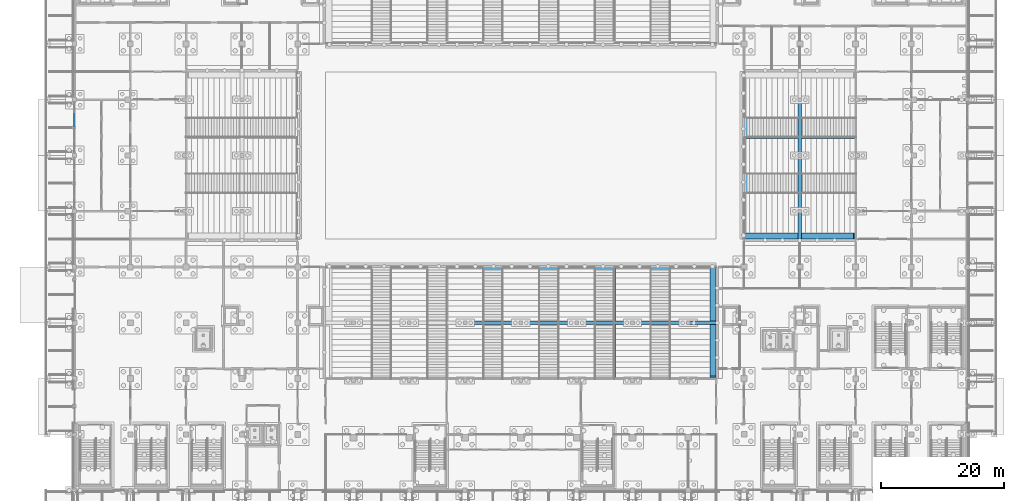
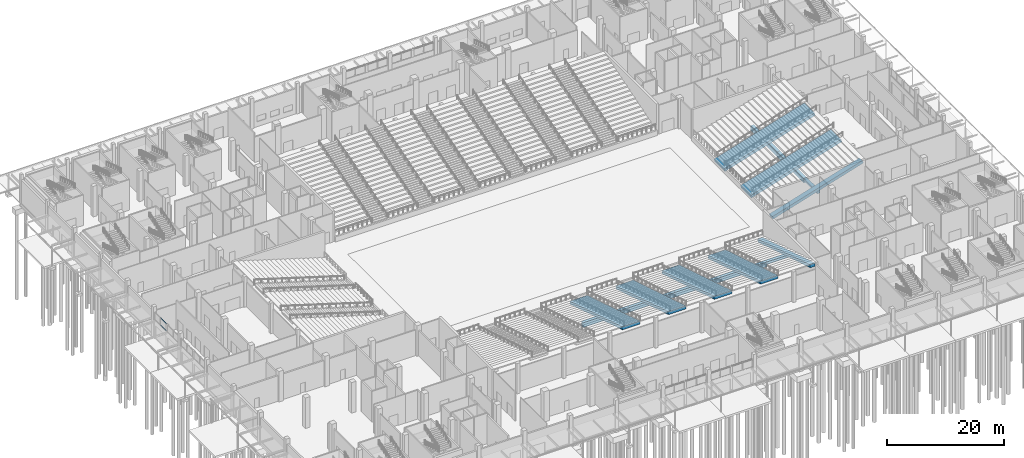
# One storey, part 53 of 129: 16 beams, 2 members, 1 element without a shape of its own.
"""IFC4 building model written with IfcOpenShell, lengths in metres."""

from ifc_helpers import new_model, si_unit, direction, frame, origin, origin_2d, place, context, subcontext, project, spatial, rectangle, hollow_rectangle, extrude, material, layer, layer_set, material_profile, profile_set, type_object, element, aggregate, save


model = new_model("IFC4")

# Units and contexts
model_context = context("Model", 3, precision=1e-05, world=origin(), true_north=direction((0.0, 1.0)))
body_context = subcontext(model_context, "Body", "Model", "MODEL_VIEW")
ifc_project = project(units=[si_unit("LENGTHUNIT", "METRE"), si_unit("AREAUNIT", "SQUARE_METRE"), si_unit("VOLUMEUNIT", "CUBIC_METRE"), si_unit("PLANEANGLEUNIT", "RADIAN"), si_unit("MASSUNIT", "GRAM", prefix="KILO")], contexts=[model_context])

# Site, building, storey
site_placement = place(None, origin())
site = spatial("IfcSite", under=ifc_project, at=site_placement, CompositionType="ELEMENT")
building_placement = place(site_placement, origin())
building = spatial("IfcBuilding", under=site, at=building_placement, Name="Shirokan Park Arena", CompositionType="ELEMENT")
storey_placement = place(building_placement, origin())
storey = spatial("IfcBuildingStorey", under=building, at=storey_placement, Name="L00", CompositionType="ELEMENT", Elevation=0.0)

# Beams
ifc_material_1 = material(Name="Concrete C35", Category="concrete")
ifc_material_profile_1 = material_profile(ifc_material_1, rectangle(XDim=1.0, YDim=0.60009765625, at=origin_2d()), Name="1000x600")
ifc_profile_set_1 = profile_set([ifc_material_profile_1], Name="Concrete C35")
beam_type_1 = type_object("IfcBeamType", Name="RC end raker 1000x600", PredefinedType="USERDEFINED", material=ifc_profile_set_1)
beam_1_placement = place(storey_placement, frame((104.14990234375, 36.39990234375, 0.246826171875), z_axis=(0.0, -0.95577675381, 0.2940931772), x_axis=(1.0, 0.0, 0.0)))
element("IfcBeam", 1, at=beam_1_placement, inside=storey, type_object=beam_type_1, Name="End raker lower S 2", ObjectType="END RAKER BEAM", PredefinedType="USERDEFINED", context=body_context, shape_type="SweptSolid", body=[
    extrude(rectangle(XDim=1.0, YDim=0.60009765625, at=origin_2d()), origin(), (0.0, 0.0, 1.0), 18.72802734375),
])
beam_2_placement = place(storey_placement, frame((109.199951171875, 41.449951171875, 0.246826171875), z_axis=(0.955777881287, 0.0, 0.294089512975), x_axis=(0.0, 1.0, 0.0)))
element("IfcBeam", 2, at=beam_2_placement, inside=storey, type_object=beam_type_1, Name="End raker lower E 1", ObjectType="END RAKER BEAM", PredefinedType="USERDEFINED", context=body_context, shape_type="SweptSolid", body=[
    extrude(rectangle(XDim=1.0, YDim=0.60009765625, at=origin_2d()), origin(), (0.0, 0.0, 1.0), 18.728271484375),
])
ifc_material_profile_2 = material_profile(ifc_material_1, rectangle(XDim=3.5, YDim=0.60009765625, at=origin_2d()), Name="3500x600")
ifc_profile_set_2 = profile_set([ifc_material_profile_2], Name="Concrete C35")
beam_type_2 = type_object("IfcBeamType", Name="RC raker 3500x600", PredefinedType="USERDEFINED", material=ifc_profile_set_2)
for number, where, z_axis, x_axis, name in (
    (3, (68.25, 36.39990234375, 0.246826171875), (0.0, -0.95577675381, 0.2940931772), (1.0, 0.0, 0.0), "Raker lower S 3"),
    (4, (77.35009765625, 36.39990234375, 0.246826171875), (0.0, -0.95577675381, 0.2940931772), (1.0, 0.0, 0.0), "Raker lower S 4"),
    (5, (86.449951171875, 36.39990234375, 0.246826171875), (0.0, -0.95577675381, 0.2940931772), (1.0, 0.0, 0.0), "Raker lower S 5"),
    (6, (95.550048828125, 36.39990234375, 0.246826171875), (0.0, -0.95577675381, 0.2940931772), (1.0, 0.0, 0.0), "Raker lower S 6"),
):
    element("IfcBeam", number, at=place(storey_placement, frame(where, z_axis=z_axis, x_axis=x_axis)), inside=storey, type_object=beam_type_2, Name=name, ObjectType="RAKER BEAM", PredefinedType="USERDEFINED", context=body_context, shape_type="SweptSolid", body=[
        extrude(rectangle(XDim=3.5, YDim=0.60009765625, at=origin_2d()), origin(), (0.0, 0.0, 1.0), 18.72802734375),
    ])
for number, where, z_axis, x_axis, name in (
    (7, (109.199951171875, 50.050048828125, 0.246826171875), (0.955777881287, 0.0, 0.294089512975), (0.0, 1.0, 0.0), "Raker lower E 1"),
    (8, (109.199951171875, 59.14990234375, 0.246826171875), (0.955777881287, 0.0, 0.294089512975), (0.0, 1.0, 0.0), "Raker lower E 2"),
):
    element("IfcBeam", number, at=place(storey_placement, frame(where, z_axis=z_axis, x_axis=x_axis)), inside=storey, type_object=beam_type_2, Name=name, ObjectType="RAKER BEAM", PredefinedType="USERDEFINED", context=body_context, shape_type="SweptSolid", body=[
        extrude(rectangle(XDim=3.5, YDim=0.60009765625, at=origin_2d()), origin(), (0.0, 0.0, 1.0), 18.728271484375),
    ])
ifc_material_profile_3 = material_profile(ifc_material_1, rectangle(XDim=0.60009765625, YDim=1.0, at=origin_2d()), Name="600x1000")
ifc_profile_set_3 = profile_set([ifc_material_profile_3], Name="Concrete C35")
beam_type_3 = type_object("IfcBeamType", Name="RC stand girder 600x1000", PredefinedType="BEAM", material=ifc_profile_set_3)
beam_3_placement = place(storey_placement, frame((63.699951171875, 27.300048828125, 2.23291015625), z_axis=(1.0, 0.0, 0.0), x_axis=(0.0, 1.0, 0.0)))
element("IfcBeam", 9, at=beam_3_placement, inside=storey, type_object=beam_type_3, Name="Stand girder S R2 4", PredefinedType="BEAM", context=body_context, shape_type="SweptSolid", body=[
    extrude(rectangle(XDim=0.60009765625, YDim=1.0, at=origin_2d()), origin(), (0.0, 0.0, 1.0), 9.10009765625),
])
beam_4_placement = place(storey_placement, frame((72.800048828125, 27.300048828125, 2.23291015625), z_axis=(1.0, 0.0, 0.0), x_axis=(0.0, 1.0, 0.0)))
element("IfcBeam", 10, at=beam_4_placement, inside=storey, type_object=beam_type_3, Name="Stand girder S R2 5", PredefinedType="BEAM", context=body_context, shape_type="SweptSolid", body=[
    extrude(rectangle(XDim=0.60009765625, YDim=1.0, at=origin_2d()), origin(), (0.0, 0.0, 1.0), 9.099853515625),
])
for number, where, z_axis, x_axis, name in (
    (11, (81.89990234375, 27.300048828125, 2.23291015625), (1.0, 0.0, 0.0), (0.0, 1.0, 0.0), "Stand girder S R2 6"),
    (12, (91.0, 27.300048828125, 2.23291015625), (1.0, 0.0, 0.0), (0.0, 1.0, 0.0), "Stand girder S R2 7"),
    (13, (118.300048828125, 45.5, 2.23291015625), (0.0, 1.0, 0.0), (-1.0, 0.0, 0.0), "Stand girder E R2 2"),
):
    element("IfcBeam", number, at=place(storey_placement, frame(where, z_axis=z_axis, x_axis=x_axis)), inside=storey, type_object=beam_type_3, Name=name, PredefinedType="BEAM", context=body_context, shape_type="SweptSolid", body=[
        extrude(rectangle(XDim=0.60009765625, YDim=1.0, at=origin_2d()), origin(), (0.0, 0.0, 1.0), 9.10009765625),
    ])
beam_5_placement = place(storey_placement, frame((118.300048828125, 54.60009765625, 2.23291015625), z_axis=(0.0, 1.0, 0.0), x_axis=(-1.0, 0.0, 0.0)))
element("IfcBeam", 14, at=beam_5_placement, inside=storey, type_object=beam_type_3, Name="Stand girder E R2 3", PredefinedType="BEAM", context=body_context, shape_type="SweptSolid", body=[
    extrude(rectangle(XDim=0.60009765625, YDim=1.0, at=origin_2d()), origin(), (0.0, 0.0, 1.0), 9.099853515625),
])
ifc_material_profile_4 = material_profile(ifc_material_1, rectangle(XDim=0.60009765625, YDim=0.5, at=origin_2d()), Name="600x500")
ifc_profile_set_4 = profile_set([ifc_material_profile_4], Name="Concrete C35")
beam_type_4 = type_object("IfcBeamType", Name="RC stand girder end bay 600x500", PredefinedType="BEAM", material=ifc_profile_set_4)
beam_6_placement = place(storey_placement, frame((100.10009765625, 27.300048828125, 2.48291015625), z_axis=(1.0, 0.0, 0.0), x_axis=(0.0, 1.0, 0.0)))
element("IfcBeam", 15, at=beam_6_placement, inside=storey, type_object=beam_type_4, Name="Stand girder S R2 8", PredefinedType="BEAM", context=body_context, shape_type="SweptSolid", body=[
    extrude(rectangle(XDim=0.60009765625, YDim=0.5, at=origin_2d()), origin(), (0.0, 0.0, 1.0), 4.5498046875),
])
beam_7_placement = place(storey_placement, frame((118.300048828125, 40.949951171875, 2.48291015625), z_axis=(0.0, 1.0, 0.0), x_axis=(-1.0, 0.0, 0.0)))
element("IfcBeam", 16, at=beam_7_placement, inside=storey, type_object=beam_type_4, Name="Stand girder E R2 1", PredefinedType="BEAM", context=body_context, shape_type="SweptSolid", body=[
    extrude(rectangle(XDim=0.60009765625, YDim=0.5, at=origin_2d()), origin(), (0.0, 0.0, 1.0), 4.550048828125),
])

# Curtain wall, members
ifc_material_2 = material(Name="Steel and glass curtain wall", Category="steel")
ifc_layer = layer(ifc_material_2, 0.199951171875)
ifc_layer_set = layer_set([ifc_layer], Name="Steel and glass curtain wall 200 mm")
curtain_wall_type = type_object("IfcCurtainWallType", Name="Curtain wall shopfront bay 200", PredefinedType="NOTDEFINED", material=ifc_layer_set)
curtain_wall_placement = place(storey_placement, origin())
curtain_wall = element("IfcCurtainWall", 17, at=curtain_wall_placement, inside=storey, type_object=curtain_wall_type, Name="Curtain wall west bay 6 L00 clerestory 1", PredefinedType="NOTDEFINED")
ifc_material_3 = material(Name="Steel S355", Category="steel")
ifc_material_profile_5 = material_profile(ifc_material_3, hollow_rectangle(XDim=0.06005859375, YDim=0.0400390625, WallThickness=0.00390625, at=origin_2d()), Name="RHS 60x40x4")
ifc_profile_set_5 = profile_set([ifc_material_profile_5], Name="Steel S355")
member_type = type_object("IfcMemberType", Name="Transom RHS 60x40x4", PredefinedType="MULLION", material=ifc_profile_set_5)
member_1_placement = place(storey_placement, frame((-0.050048828125, 61.344970703125, 3.77001953125), z_axis=(0.0, -1.0, 0.0), x_axis=(1.0, 0.0, 0.0)))
member_1 = element("IfcMember", 18, at=member_1_placement, type_object=member_type, Name="CW4 transom 2.1", PredefinedType="MULLION", context=body_context, shape_type="SweptSolid", body=[
    extrude(hollow_rectangle(XDim=0.06005859375, YDim=0.0400390625, WallThickness=0.00390625, at=origin_2d()), origin(), (0.0, 0.0, 1.0), 1.97998046875),
])
member_2_placement = place(storey_placement, frame((-0.050048828125, 61.344970703125, 5.25), z_axis=(0.0, -1.0, 0.0), x_axis=(1.0, 0.0, 0.0)))
member_2 = element("IfcMember", 19, at=member_2_placement, type_object=member_type, Name="CW4 transom 2.2", PredefinedType="MULLION", context=body_context, shape_type="SweptSolid", body=[
    extrude(hollow_rectangle(XDim=0.06005859375, YDim=0.0400390625, WallThickness=0.00390625, at=origin_2d()), origin(), (0.0, 0.0, 1.0), 1.97998046875),
])
aggregate(curtain_wall, [member_1, member_2])

save(model, "model.ifc")
